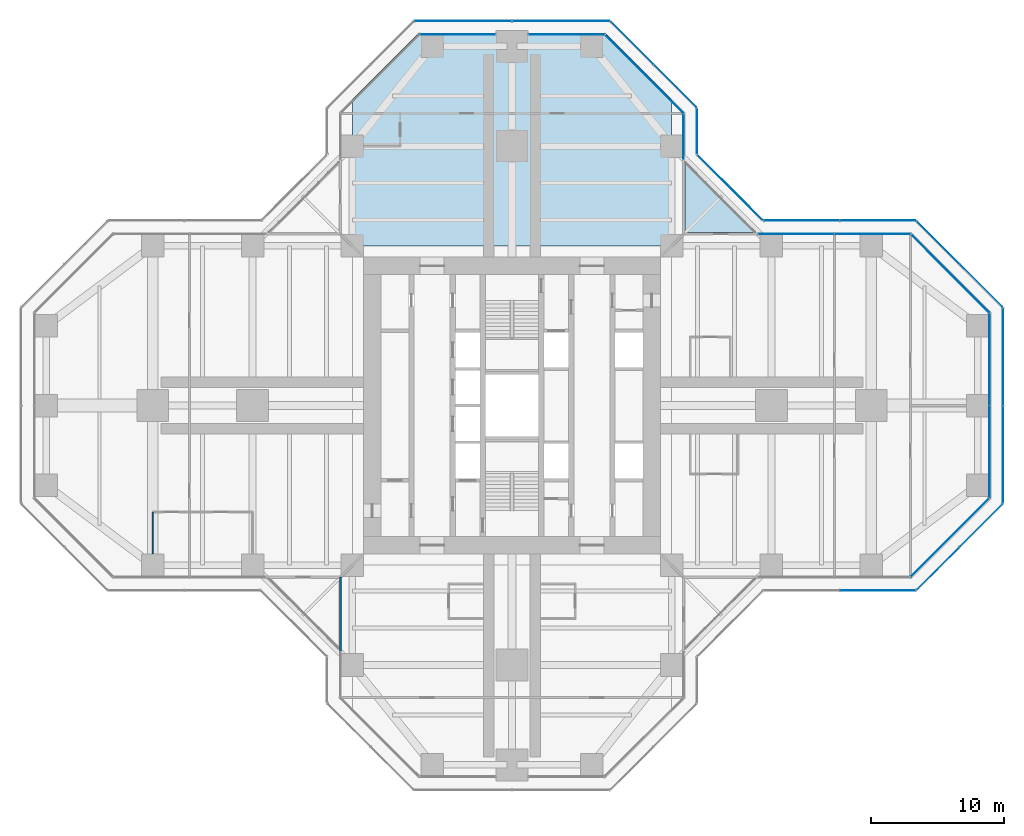
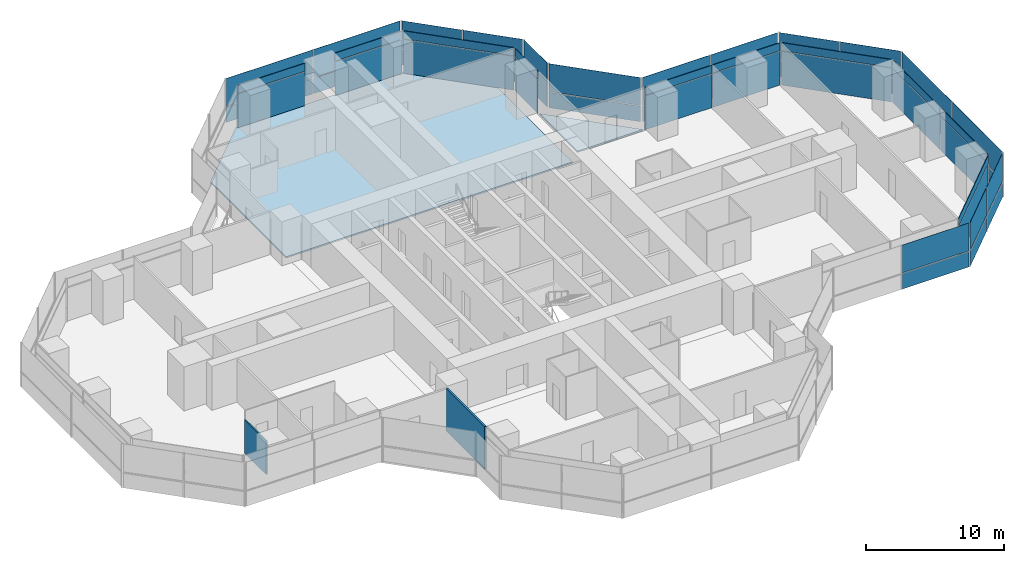
# One storey, part 14 of 19: 50 plates, 2 slabs, 2 walls, 17 elements without a shape of their own.
"""IFC4 building model written with IfcOpenShell, lengths in metres."""

from ifc_helpers import new_model, si_unit, direction, frame, frame_2d, origin, origin_2d, place, context, subcontext, project, spatial, polyline, rectangle, outline, extrude, material, layer, layer_set, type_object, element, aggregate, save


model = new_model("IFC4")

# Units and contexts
model_context = context("Model", 3, precision=1e-05, world=origin(), true_north=direction((0.0, 1.0)))
body_context = subcontext(model_context, "Body", "Model", "MODEL_VIEW")
ifc_project = project(units=[si_unit("LENGTHUNIT", "METRE"), si_unit("AREAUNIT", "SQUARE_METRE"), si_unit("VOLUMEUNIT", "CUBIC_METRE"), si_unit("PLANEANGLEUNIT", "RADIAN"), si_unit("MASSUNIT", "GRAM", prefix="KILO")], contexts=[model_context])

# Site, building, storey
site_placement = place(None, origin())
site = spatial("IfcSite", under=ifc_project, at=site_placement, CompositionType="ELEMENT")
building_placement = place(site_placement, origin())
building = spatial("IfcBuilding", under=site, at=building_placement, Name="Mizan Broadcast Tower", CompositionType="ELEMENT")
storey_placement = place(building_placement, frame((0.0, 0.0, 186.60009765625)))
storey = spatial("IfcBuildingStorey", under=building, at=storey_placement, Name="L43", CompositionType="ELEMENT", Elevation=186.60009765625)

# Slab
ifc_material_1 = material(Name="Concrete C32/40", Category="concrete")
ifc_layer_1 = layer(ifc_material_1, 0.1298828125)
ifc_layer_set_1 = layer_set([ifc_layer_1], Name="Concrete C32/40")
slab_type_1 = type_object("IfcSlabType", Name="COMPOSITE DECK SLAB 130", PredefinedType="FLOOR", material=ifc_layer_set_1)
slab_1_placement = place(storey_placement, frame((0.0, 0.0, -0.130126953125)))
element("IfcSlab", 1, at=slab_1_placement, inside=storey, type_object=slab_type_1, Name="Floor slab L43 north arm", PredefinedType="FLOOR", context=body_context, shape_type="SweptSolid", body=[
    extrude(outline(polyline([(-7.0, 28.0), (-12.0, 23.0), (-12.0, 12.0), (12.0, 12.0), (12.0, 23.0), (7.0, 28.0), (-7.0, 28.0)])), origin(), (0.0, 0.0, 1.0), 0.130126953125),
])

# Curtain wall, plate
ifc_material_2 = material(Name="Aluminium framed glazing", Category="aluminium")
curtain_wall_type_1 = type_object("IfcCurtainWallType", Name="INNER SKIN MID ZONE", PredefinedType="USERDEFINED", material=ifc_material_2)
curtain_wall_1_placement = place(storey_placement, origin())
curtain_wall_1 = element("IfcCurtainWall", 2, at=curtain_wall_1_placement, inside=storey, type_object=curtain_wall_type_1, Name="Inner skin mid zone L43 E chamfer", ObjectType="INNER SKIN MID ZONE", PredefinedType="USERDEFINED")
ifc_material_3 = material(Name="Double glazing, clear low-e", Category="glass")
ifc_layer_2 = layer(ifc_material_3, 0.028076171875)
ifc_layer_set_2 = layer_set([ifc_layer_2], Name="Double glazing, clear low-e")
plate_type_1 = type_object("IfcPlateType", Name="INNER SKIN GLAZING UNIT", PredefinedType="CURTAIN_PANEL", material=ifc_layer_set_2)
plate_1_placement = place(storey_placement, frame((32.92919921875, -9.92919921875, 0.0), z_axis=(0.0, 0.0, 1.0), x_axis=(0.707106781187, 0.707106781187, 0.0)))
plate_1 = element("IfcPlate", 3, at=plate_1_placement, type_object=plate_type_1, Name="Inner skin mid zone L43 E chamfer panel 1.1", PredefinedType="CURTAIN_PANEL", context=body_context, shape_type="SweptSolid", body=[
    extrude(rectangle(XDim=8.282470703125, YDim=0.028076171875, at=origin_2d()), origin(), (0.0, 0.0, 1.0), 3.0),
])

# Curtain wall, plates
curtain_wall_2_placement = place(storey_placement, origin())
curtain_wall_2 = element("IfcCurtainWall", 4, at=curtain_wall_2_placement, inside=storey, type_object=curtain_wall_type_1, Name="Inner skin mid zone L43 E end", ObjectType="INNER SKIN MID ZONE", PredefinedType="USERDEFINED")
plate_2_placement = place(storey_placement, frame((35.89990234375, -3.46435546875, 0.0), z_axis=(0.0, 0.0, 1.0), x_axis=(0.0, 1.0, 0.0)))
plate_2 = element("IfcPlate", 5, at=plate_2_placement, type_object=plate_type_1, Name="Inner skin mid zone L43 E end panel 1.1", PredefinedType="CURTAIN_PANEL", context=body_context, shape_type="SweptSolid", body=[
    extrude(rectangle(XDim=6.86865234375, YDim=0.028076171875, at=origin_2d()), origin(), (0.0, 0.0, 1.0), 3.0),
])
plate_3_placement = place(storey_placement, frame((35.89990234375, 3.46435546875, 0.0), z_axis=(0.0, 0.0, 1.0), x_axis=(0.0, 1.0, 0.0)))
plate_3 = element("IfcPlate", 6, at=plate_3_placement, type_object=plate_type_1, Name="Inner skin mid zone L43 E end panel 2.1", PredefinedType="CURTAIN_PANEL", context=body_context, shape_type="SweptSolid", body=[
    extrude(rectangle(XDim=6.86865234375, YDim=0.028076171875, at=origin_2d()), origin(), (0.0, 0.0, 1.0), 3.0),
])

# Curtain wall, plate
curtain_wall_3_placement = place(storey_placement, origin())
curtain_wall_3 = element("IfcCurtainWall", 7, at=curtain_wall_3_placement, inside=storey, type_object=curtain_wall_type_1, Name="Inner skin mid zone L43 E chamfer", ObjectType="INNER SKIN MID ZONE", PredefinedType="USERDEFINED")
plate_4_placement = place(storey_placement, frame((32.92919921875, 9.92919921875, 0.0), z_axis=(0.0, 0.0, 1.0), x_axis=(-0.707106781187, 0.707106781187, 0.0)))
plate_4 = element("IfcPlate", 8, at=plate_4_placement, type_object=plate_type_1, Name="Inner skin mid zone L43 E chamfer panel 1.1", PredefinedType="CURTAIN_PANEL", context=body_context, shape_type="SweptSolid", body=[
    extrude(rectangle(XDim=8.282470703125, YDim=0.028076171875, at=origin_2d()), origin(), (0.0, 0.0, 1.0), 3.0),
])

# Curtain wall, plates
curtain_wall_4_placement = place(storey_placement, origin())
curtain_wall_4 = element("IfcCurtainWall", 9, at=curtain_wall_4_placement, inside=storey, type_object=curtain_wall_type_1, Name="Inner skin mid zone L43 E side", ObjectType="INNER SKIN MID ZONE", PredefinedType="USERDEFINED")
plate_5_placement = place(storey_placement, frame((27.078857421875, 12.89990234375, 0.0), z_axis=(0.0, 0.0, 1.0), x_axis=(-1.0, 0.0, 0.0)))
plate_5 = element("IfcPlate", 10, at=plate_5_placement, type_object=plate_type_1, Name="Inner skin mid zone L43 E side panel 1.1", PredefinedType="CURTAIN_PANEL", context=body_context, shape_type="SweptSolid", body=[
    extrude(rectangle(XDim=5.639404296875, YDim=0.028076171875, at=origin_2d()), origin(), (0.0, 0.0, 1.0), 3.0),
])
plate_6_placement = place(storey_placement, frame((21.379638671875, 12.89990234375, 0.0), z_axis=(0.0, 0.0, 1.0), x_axis=(-1.0, 0.0, 0.0)))
plate_6 = element("IfcPlate", 11, at=plate_6_placement, type_object=plate_type_1, Name="Inner skin mid zone L43 E side panel 2.1", PredefinedType="CURTAIN_PANEL", context=body_context, shape_type="SweptSolid", body=[
    extrude(rectangle(XDim=5.639404296875, YDim=0.028076171875, at=origin_2d()), origin(), (0.0, 0.0, 1.0), 3.0),
])

# Curtain wall, plate
curtain_wall_5_placement = place(storey_placement, origin())
curtain_wall_5 = element("IfcCurtainWall", 12, at=curtain_wall_5_placement, inside=storey, type_object=curtain_wall_type_1, Name="Inner skin mid zone L43 N side", ObjectType="INNER SKIN MID ZONE", PredefinedType="USERDEFINED")
plate_7_placement = place(storey_placement, frame((12.89990234375, 20.229248046875, 0.0), z_axis=(0.0, 0.0, 1.0), x_axis=(0.0, 1.0, 0.0)))
plate_7 = element("IfcPlate", 13, at=plate_7_placement, type_object=plate_type_1, Name="Inner skin mid zone L43 N side panel 1.1", PredefinedType="CURTAIN_PANEL", context=body_context, shape_type="SweptSolid", body=[
    extrude(rectangle(XDim=3.338623046875, YDim=0.028076171875, at=origin_2d()), origin(), (0.0, 0.0, 1.0), 3.0),
])

curtain_wall_6_placement = place(storey_placement, origin())
curtain_wall_6 = element("IfcCurtainWall", 14, at=curtain_wall_6_placement, inside=storey, type_object=curtain_wall_type_1, Name="Inner skin mid zone L43 N chamfer", ObjectType="INNER SKIN MID ZONE", PredefinedType="USERDEFINED")
plate_8_placement = place(storey_placement, frame((9.92919921875, 24.92919921875, 0.0), z_axis=(0.0, 0.0, 1.0), x_axis=(-0.707106781187, 0.707106781187, 0.0)))
plate_8 = element("IfcPlate", 15, at=plate_8_placement, type_object=plate_type_1, Name="Inner skin mid zone L43 N chamfer panel 1.1", PredefinedType="CURTAIN_PANEL", context=body_context, shape_type="SweptSolid", body=[
    extrude(rectangle(XDim=8.282470703125, YDim=0.028076171875, at=origin_2d()), origin(), (0.0, 0.0, 1.0), 3.0),
])

curtain_wall_7_placement = place(storey_placement, origin())
curtain_wall_7 = element("IfcCurtainWall", 16, at=curtain_wall_7_placement, inside=storey, type_object=curtain_wall_type_1, Name="Inner skin mid zone L43 N end", ObjectType="INNER SKIN MID ZONE", PredefinedType="USERDEFINED")
plate_9_placement = place(storey_placement, frame((4.079345703125, 27.89990234375, 0.0), z_axis=(0.0, 0.0, 1.0), x_axis=(-1.0, 0.0, 0.0)))
plate_9 = element("IfcPlate", 17, at=plate_9_placement, type_object=plate_type_1, Name="Inner skin mid zone L43 N end panel 1.1", PredefinedType="CURTAIN_PANEL", context=body_context, shape_type="SweptSolid", body=[
    extrude(rectangle(XDim=5.638671875, YDim=0.028076171875, at=origin_2d()), origin(), (0.0, 0.0, 1.0), 3.0),
])

curtain_wall_8_placement = place(storey_placement, origin())
curtain_wall_8 = element("IfcCurtainWall", 18, at=curtain_wall_8_placement, inside=storey, type_object=curtain_wall_type_1, Name="Inner skin mid zone L43 N end", ObjectType="INNER SKIN MID ZONE", PredefinedType="USERDEFINED")
plate_10_placement = place(storey_placement, frame((-4.079345703125, 27.89990234375, 0.0), z_axis=(0.0, 0.0, 1.0), x_axis=(-1.0, 0.0, 0.0)))
plate_10 = element("IfcPlate", 19, at=plate_10_placement, type_object=plate_type_1, Name="Inner skin mid zone L43 N end panel 1.1", PredefinedType="CURTAIN_PANEL", context=body_context, shape_type="SweptSolid", body=[
    extrude(rectangle(XDim=5.638671875, YDim=0.028076171875, at=origin_2d()), origin(), (0.0, 0.0, 1.0), 3.0),
])

# Plate
ifc_material_4 = material(Name="Insulated aluminium spandrel panel, pale anodised", Category="aluminium")
ifc_layer_3 = layer(ifc_material_4, 0.050048828125)
ifc_layer_set_3 = layer_set([ifc_layer_3], Name="Insulated aluminium spandrel panel, pale anodised")
plate_type_2 = type_object("IfcPlateType", Name="INNER SKIN SPANDREL PANEL", PredefinedType="CURTAIN_PANEL", material=ifc_layer_set_3)
plate_11_placement = place(storey_placement, frame((32.92919921875, -9.92919921875, 3.059814453125), z_axis=(0.0, 0.0, 1.0), x_axis=(0.707106781187, 0.707106781187, 0.0)))
plate_11 = element("IfcPlate", 20, at=plate_11_placement, type_object=plate_type_2, Name="Inner skin mid zone L43 E chamfer panel 1.2", PredefinedType="CURTAIN_PANEL", context=body_context, shape_type="SweptSolid", body=[
    extrude(rectangle(XDim=8.282470703125, YDim=0.050048828125, at=origin_2d()), origin(), (0.0, 0.0, 1.0), 0.7099609375),
])

aggregate(curtain_wall_1, [plate_1, plate_11])

plate_12_placement = place(storey_placement, frame((35.89990234375, -3.46435546875, 3.059814453125), z_axis=(0.0, 0.0, 1.0), x_axis=(0.0, 1.0, 0.0)))
plate_12 = element("IfcPlate", 21, at=plate_12_placement, type_object=plate_type_2, Name="Inner skin mid zone L43 E end panel 1.2", PredefinedType="CURTAIN_PANEL", context=body_context, shape_type="SweptSolid", body=[
    extrude(rectangle(XDim=6.86865234375, YDim=0.050048828125, at=origin_2d()), origin(), (0.0, 0.0, 1.0), 0.7099609375),
])

plate_13_placement = place(storey_placement, frame((35.89990234375, 3.46435546875, 3.059814453125), z_axis=(0.0, 0.0, 1.0), x_axis=(0.0, 1.0, 0.0)))
plate_13 = element("IfcPlate", 22, at=plate_13_placement, type_object=plate_type_2, Name="Inner skin mid zone L43 E end panel 2.2", PredefinedType="CURTAIN_PANEL", context=body_context, shape_type="SweptSolid", body=[
    extrude(rectangle(XDim=6.86865234375, YDim=0.050048828125, at=origin_2d()), origin(), (0.0, 0.0, 1.0), 0.7099609375),
])

aggregate(curtain_wall_2, [plate_2, plate_12, plate_3, plate_13])

plate_14_placement = place(storey_placement, frame((32.92919921875, 9.92919921875, 3.059814453125), z_axis=(0.0, 0.0, 1.0), x_axis=(-0.707106781187, 0.707106781187, 0.0)))
plate_14 = element("IfcPlate", 23, at=plate_14_placement, type_object=plate_type_2, Name="Inner skin mid zone L43 E chamfer panel 1.2", PredefinedType="CURTAIN_PANEL", context=body_context, shape_type="SweptSolid", body=[
    extrude(rectangle(XDim=8.282470703125, YDim=0.050048828125, at=origin_2d()), origin(), (0.0, 0.0, 1.0), 0.7099609375),
])

aggregate(curtain_wall_3, [plate_4, plate_14])

plate_15_placement = place(storey_placement, frame((27.078857421875, 12.89990234375, 3.059814453125), z_axis=(0.0, 0.0, 1.0), x_axis=(-1.0, 0.0, 0.0)))
plate_15 = element("IfcPlate", 24, at=plate_15_placement, type_object=plate_type_2, Name="Inner skin mid zone L43 E side panel 1.2", PredefinedType="CURTAIN_PANEL", context=body_context, shape_type="SweptSolid", body=[
    extrude(rectangle(XDim=5.639404296875, YDim=0.050048828125, at=origin_2d()), origin(), (0.0, 0.0, 1.0), 0.7099609375),
])

plate_16_placement = place(storey_placement, frame((21.379638671875, 12.89990234375, 3.059814453125), z_axis=(0.0, 0.0, 1.0), x_axis=(-1.0, 0.0, 0.0)))
plate_16 = element("IfcPlate", 25, at=plate_16_placement, type_object=plate_type_2, Name="Inner skin mid zone L43 E side panel 2.2", PredefinedType="CURTAIN_PANEL", context=body_context, shape_type="SweptSolid", body=[
    extrude(rectangle(XDim=5.639404296875, YDim=0.050048828125, at=origin_2d()), origin(), (0.0, 0.0, 1.0), 0.7099609375),
])

aggregate(curtain_wall_4, [plate_5, plate_15, plate_6, plate_16])

plate_17_placement = place(storey_placement, frame((12.89990234375, 20.229248046875, 3.059814453125), z_axis=(0.0, 0.0, 1.0), x_axis=(0.0, 1.0, 0.0)))
plate_17 = element("IfcPlate", 26, at=plate_17_placement, type_object=plate_type_2, Name="Inner skin mid zone L43 N side panel 1.2", PredefinedType="CURTAIN_PANEL", context=body_context, shape_type="SweptSolid", body=[
    extrude(rectangle(XDim=3.338623046875, YDim=0.050048828125, at=origin_2d()), origin(), (0.0, 0.0, 1.0), 0.7099609375),
])

aggregate(curtain_wall_5, [plate_7, plate_17])

plate_18_placement = place(storey_placement, frame((9.92919921875, 24.92919921875, 3.059814453125), z_axis=(0.0, 0.0, 1.0), x_axis=(-0.707106781187, 0.707106781187, 0.0)))
plate_18 = element("IfcPlate", 27, at=plate_18_placement, type_object=plate_type_2, Name="Inner skin mid zone L43 N chamfer panel 1.2", PredefinedType="CURTAIN_PANEL", context=body_context, shape_type="SweptSolid", body=[
    extrude(rectangle(XDim=8.282470703125, YDim=0.050048828125, at=origin_2d()), origin(), (0.0, 0.0, 1.0), 0.7099609375),
])

aggregate(curtain_wall_6, [plate_8, plate_18])

plate_19_placement = place(storey_placement, frame((4.079345703125, 27.89990234375, 3.059814453125), z_axis=(0.0, 0.0, 1.0), x_axis=(-1.0, 0.0, 0.0)))
plate_19 = element("IfcPlate", 28, at=plate_19_placement, type_object=plate_type_2, Name="Inner skin mid zone L43 N end panel 1.2", PredefinedType="CURTAIN_PANEL", context=body_context, shape_type="SweptSolid", body=[
    extrude(rectangle(XDim=5.638671875, YDim=0.050048828125, at=origin_2d()), origin(), (0.0, 0.0, 1.0), 0.7099609375),
])

aggregate(curtain_wall_7, [plate_9, plate_19])

plate_20_placement = place(storey_placement, frame((-4.079345703125, 27.89990234375, 3.059814453125), z_axis=(0.0, 0.0, 1.0), x_axis=(-1.0, 0.0, 0.0)))
plate_20 = element("IfcPlate", 29, at=plate_20_placement, type_object=plate_type_2, Name="Inner skin mid zone L43 N end panel 1.2", PredefinedType="CURTAIN_PANEL", context=body_context, shape_type="SweptSolid", body=[
    extrude(rectangle(XDim=5.638671875, YDim=0.050048828125, at=origin_2d()), origin(), (0.0, 0.0, 1.0), 0.7099609375),
])

aggregate(curtain_wall_8, [plate_10, plate_20])

# Curtain wall, plates
ifc_material_5 = material(Name="Aluminium framed glazing", Category="aluminium")
curtain_wall_type_2 = type_object("IfcCurtainWallType", Name="OUTER SKIN", PredefinedType="USERDEFINED", material=ifc_material_5)
curtain_wall_9_placement = place(storey_placement, origin())
curtain_wall_9 = element("IfcCurtainWall", 30, at=curtain_wall_9_placement, inside=storey, type_object=curtain_wall_type_2, Name="Outer skin L43 E chamfer", ObjectType="OUTER SKIN", PredefinedType="USERDEFINED")
ifc_material_6 = material(Name="Laminated clear glass", Category="glass")
ifc_layer_4 = layer(ifc_material_6, 0.02001953125)
ifc_layer_set_4 = layer_set([ifc_layer_4], Name="Laminated clear glass")
plate_type_3 = type_object("IfcPlateType", Name="OUTER SKIN CLEAR GLASS", PredefinedType="CURTAIN_PANEL", material=ifc_layer_set_4)
plate_21_placement = place(storey_placement, frame((32.018798828125, -12.254150390625, -0.000244140625), z_axis=(0.0, 0.0, 1.0), x_axis=(0.707106781187, 0.707106781187, 0.0)))
plate_21 = element("IfcPlate", 31, at=plate_21_placement, type_object=plate_type_3, Name="Outer skin L43 E chamfer panel 1.1", PredefinedType="CURTAIN_PANEL", context=body_context, shape_type="SweptSolid", body=[
    extrude(rectangle(XDim=4.495361328125, YDim=0.02001953125, at=origin_2d()), origin(), (0.0, 0.0, 1.0), 1.3701171875),
])
plate_22_placement = place(storey_placement, frame((32.018798828125, -12.254150390625, 1.4296875), z_axis=(0.0, 0.0, 1.0), x_axis=(0.707106781187, 0.707106781187, 0.0)))
plate_22 = element("IfcPlate", 32, at=plate_22_placement, type_object=plate_type_3, Name="Outer skin L43 E chamfer panel 1.2", PredefinedType="CURTAIN_PANEL", context=body_context, shape_type="SweptSolid", body=[
    extrude(rectangle(XDim=4.495361328125, YDim=0.02001953125, at=origin_2d()), origin(), (0.0, 0.0, 1.0), 2.469970703125),
])

curtain_wall_10_placement = place(storey_placement, origin())
curtain_wall_10 = element("IfcCurtainWall", 33, at=curtain_wall_10_placement, inside=storey, type_object=curtain_wall_type_2, Name="Outer skin L43 E end", ObjectType="OUTER SKIN", PredefinedType="USERDEFINED")
plate_23_placement = place(storey_placement, frame((36.89990234375, -3.66650390625, -0.000244140625), z_axis=(0.0, 0.0, 1.0), x_axis=(0.0, 1.0, 0.0)))
plate_23 = element("IfcPlate", 34, at=plate_23_placement, type_object=plate_type_3, Name="Outer skin L43 E end panel 1.1", PredefinedType="CURTAIN_PANEL", context=body_context, shape_type="SweptSolid", body=[
    extrude(rectangle(XDim=7.252685546875, YDim=0.02001953125, at=origin_2d()), origin(), (0.0, 0.0, 1.0), 1.3701171875),
])
plate_24_placement = place(storey_placement, frame((36.89990234375, -3.66650390625, 1.4296875), z_axis=(0.0, 0.0, 1.0), x_axis=(0.0, 1.0, 0.0)))
plate_24 = element("IfcPlate", 35, at=plate_24_placement, type_object=plate_type_3, Name="Outer skin L43 E end panel 1.2", PredefinedType="CURTAIN_PANEL", context=body_context, shape_type="SweptSolid", body=[
    extrude(rectangle(XDim=7.252685546875, YDim=0.02001953125, at=origin_2d()), origin(), (0.0, 0.0, 1.0), 2.469970703125),
])

curtain_wall_11_placement = place(storey_placement, origin())
curtain_wall_11 = element("IfcCurtainWall", 36, at=curtain_wall_11_placement, inside=storey, type_object=curtain_wall_type_2, Name="Outer skin L43 E chamfer", ObjectType="OUTER SKIN", PredefinedType="USERDEFINED")
plate_25_placement = place(storey_placement, frame((35.254150390625, 9.018798828125, -0.000244140625), z_axis=(0.0, 0.0, 1.0), x_axis=(-0.707106781187, 0.707106781187, 0.0)))
plate_25 = element("IfcPlate", 37, at=plate_25_placement, type_object=plate_type_3, Name="Outer skin L43 E chamfer panel 1.1", PredefinedType="CURTAIN_PANEL", context=body_context, shape_type="SweptSolid", body=[
    extrude(rectangle(XDim=4.495361328125, YDim=0.02001953125, at=origin_2d()), origin(), (0.0, 0.0, 1.0), 1.3701171875),
])
plate_26_placement = place(storey_placement, frame((35.254150390625, 9.018798828125, 1.4296875), z_axis=(0.0, 0.0, 1.0), x_axis=(-0.707106781187, 0.707106781187, 0.0)))
plate_26 = element("IfcPlate", 38, at=plate_26_placement, type_object=plate_type_3, Name="Outer skin L43 E chamfer panel 1.2", PredefinedType="CURTAIN_PANEL", context=body_context, shape_type="SweptSolid", body=[
    extrude(rectangle(XDim=4.495361328125, YDim=0.02001953125, at=origin_2d()), origin(), (0.0, 0.0, 1.0), 2.469970703125),
])

curtain_wall_12_placement = place(storey_placement, origin())
curtain_wall_12 = element("IfcCurtainWall", 39, at=curtain_wall_12_placement, inside=storey, type_object=curtain_wall_type_2, Name="Outer skin L43 E side", ObjectType="OUTER SKIN", PredefinedType="USERDEFINED")
plate_27_placement = place(storey_placement, frame((27.477783203125, 13.89990234375, -0.000244140625), z_axis=(0.0, 0.0, 1.0), x_axis=(-1.0, 0.0, 0.0)))
plate_27 = element("IfcPlate", 40, at=plate_27_placement, type_object=plate_type_3, Name="Outer skin L43 E side panel 1.1", PredefinedType="CURTAIN_PANEL", context=body_context, shape_type="SweptSolid", body=[
    extrude(rectangle(XDim=5.6298828125, YDim=0.02001953125, at=origin_2d()), origin(), (0.0, 0.0, 1.0), 1.3701171875),
])
plate_28_placement = place(storey_placement, frame((27.477783203125, 13.89990234375, 1.4296875), z_axis=(0.0, 0.0, 1.0), x_axis=(-1.0, 0.0, 0.0)))
plate_28 = element("IfcPlate", 41, at=plate_28_placement, type_object=plate_type_3, Name="Outer skin L43 E side panel 1.2", PredefinedType="CURTAIN_PANEL", context=body_context, shape_type="SweptSolid", body=[
    extrude(rectangle(XDim=5.6298828125, YDim=0.02001953125, at=origin_2d()), origin(), (0.0, 0.0, 1.0), 2.469970703125),
])
plate_29_placement = place(storey_placement, frame((21.767822265625, 13.89990234375, -0.000244140625), z_axis=(0.0, 0.0, 1.0), x_axis=(-1.0, 0.0, 0.0)))
plate_29 = element("IfcPlate", 42, at=plate_29_placement, type_object=plate_type_3, Name="Outer skin L43 E side panel 2.1", PredefinedType="CURTAIN_PANEL", context=body_context, shape_type="SweptSolid", body=[
    extrude(rectangle(XDim=5.6298828125, YDim=0.02001953125, at=origin_2d()), origin(), (0.0, 0.0, 1.0), 1.3701171875),
])
plate_30_placement = place(storey_placement, frame((21.767822265625, 13.89990234375, 1.4296875), z_axis=(0.0, 0.0, 1.0), x_axis=(-1.0, 0.0, 0.0)))
plate_30 = element("IfcPlate", 43, at=plate_30_placement, type_object=plate_type_3, Name="Outer skin L43 E side panel 2.2", PredefinedType="CURTAIN_PANEL", context=body_context, shape_type="SweptSolid", body=[
    extrude(rectangle(XDim=5.6298828125, YDim=0.02001953125, at=origin_2d()), origin(), (0.0, 0.0, 1.0), 2.469970703125),
])
aggregate(curtain_wall_12, [plate_27, plate_28, plate_29, plate_30])

curtain_wall_13_placement = place(storey_placement, origin())
curtain_wall_13 = element("IfcCurtainWall", 44, at=curtain_wall_13_placement, inside=storey, type_object=curtain_wall_type_2, Name="Outer skin L43 E chamfer", ObjectType="OUTER SKIN", PredefinedType="USERDEFINED")
plate_31_placement = place(storey_placement, frame((16.386474609375, 16.386474609375, -0.000244140625), z_axis=(0.0, 0.0, 1.0), x_axis=(-0.707106781187, 0.707106781187, 0.0)))
plate_31 = element("IfcPlate", 45, at=plate_31_placement, type_object=plate_type_3, Name="Outer skin L43 E chamfer panel 1.1", PredefinedType="CURTAIN_PANEL", context=body_context, shape_type="SweptSolid", body=[
    extrude(rectangle(XDim=6.87255859375, YDim=0.02001953125, at=origin_2d()), origin(), (0.0, 0.0, 1.0), 1.3701171875),
])
plate_32_placement = place(storey_placement, frame((16.386474609375, 16.386474609375, 1.4296875), z_axis=(0.0, 0.0, 1.0), x_axis=(-0.707106781187, 0.707106781187, 0.0)))
plate_32 = element("IfcPlate", 46, at=plate_32_placement, type_object=plate_type_3, Name="Outer skin L43 E chamfer panel 1.2", PredefinedType="CURTAIN_PANEL", context=body_context, shape_type="SweptSolid", body=[
    extrude(rectangle(XDim=6.87255859375, YDim=0.02001953125, at=origin_2d()), origin(), (0.0, 0.0, 1.0), 2.469970703125),
])
aggregate(curtain_wall_13, [plate_31, plate_32])

curtain_wall_14_placement = place(storey_placement, origin())
curtain_wall_14 = element("IfcCurtainWall", 47, at=curtain_wall_14_placement, inside=storey, type_object=curtain_wall_type_2, Name="Outer skin L43 N side", ObjectType="OUTER SKIN", PredefinedType="USERDEFINED")
plate_33_placement = place(storey_placement, frame((13.89990234375, 20.622802734375, -0.000244140625), z_axis=(0.0, 0.0, 1.0), x_axis=(0.0, 1.0, 0.0)))
plate_33 = element("IfcPlate", 48, at=plate_33_placement, type_object=plate_type_3, Name="Outer skin L43 N side panel 1.1", PredefinedType="CURTAIN_PANEL", context=body_context, shape_type="SweptSolid", body=[
    extrude(rectangle(XDim=3.340087890625, YDim=0.02001953125, at=origin_2d()), origin(), (0.0, 0.0, 1.0), 1.3701171875),
])
plate_34_placement = place(storey_placement, frame((13.89990234375, 20.622802734375, 1.4296875), z_axis=(0.0, 0.0, 1.0), x_axis=(0.0, 1.0, 0.0)))
plate_34 = element("IfcPlate", 49, at=plate_34_placement, type_object=plate_type_3, Name="Outer skin L43 N side panel 1.2", PredefinedType="CURTAIN_PANEL", context=body_context, shape_type="SweptSolid", body=[
    extrude(rectangle(XDim=3.340087890625, YDim=0.02001953125, at=origin_2d()), origin(), (0.0, 0.0, 1.0), 2.469970703125),
])
aggregate(curtain_wall_14, [plate_33, plate_34])

curtain_wall_15_placement = place(storey_placement, origin())
curtain_wall_15 = element("IfcCurtainWall", 50, at=curtain_wall_15_placement, inside=storey, type_object=curtain_wall_type_2, Name="Outer skin L43 N chamfer", ObjectType="OUTER SKIN", PredefinedType="USERDEFINED")
plate_35_placement = place(storey_placement, frame((12.254150390625, 24.018798828125, -0.000244140625), z_axis=(0.0, 0.0, 1.0), x_axis=(-0.707106781187, 0.707106781187, 0.0)))
plate_35 = element("IfcPlate", 51, at=plate_35_placement, type_object=plate_type_3, Name="Outer skin L43 N chamfer panel 1.1", PredefinedType="CURTAIN_PANEL", context=body_context, shape_type="SweptSolid", body=[
    extrude(rectangle(XDim=4.495361328125, YDim=0.02001953125, at=origin_2d()), origin(), (0.0, 0.0, 1.0), 1.3701171875),
])
plate_36_placement = place(storey_placement, frame((12.254150390625, 24.018798828125, 1.4296875), z_axis=(0.0, 0.0, 1.0), x_axis=(-0.707106781187, 0.707106781187, 0.0)))
plate_36 = element("IfcPlate", 52, at=plate_36_placement, type_object=plate_type_3, Name="Outer skin L43 N chamfer panel 1.2", PredefinedType="CURTAIN_PANEL", context=body_context, shape_type="SweptSolid", body=[
    extrude(rectangle(XDim=4.495361328125, YDim=0.02001953125, at=origin_2d()), origin(), (0.0, 0.0, 1.0), 2.469970703125),
])

curtain_wall_16_placement = place(storey_placement, origin())
curtain_wall_16 = element("IfcCurtainWall", 53, at=curtain_wall_16_placement, inside=storey, type_object=curtain_wall_type_2, Name="Outer skin L43 N end", ObjectType="OUTER SKIN", PredefinedType="USERDEFINED")
plate_37_placement = place(storey_placement, frame((3.66650390625, 28.89990234375, -0.000244140625), z_axis=(0.0, 0.0, 1.0), x_axis=(-1.0, 0.0, 0.0)))
plate_37 = element("IfcPlate", 54, at=plate_37_placement, type_object=plate_type_3, Name="Outer skin L43 N end panel 1.1", PredefinedType="CURTAIN_PANEL", context=body_context, shape_type="SweptSolid", body=[
    extrude(rectangle(XDim=7.252685546875, YDim=0.02001953125, at=origin_2d()), origin(), (0.0, 0.0, 1.0), 1.3701171875),
])
plate_38_placement = place(storey_placement, frame((3.66650390625, 28.89990234375, 1.4296875), z_axis=(0.0, 0.0, 1.0), x_axis=(-1.0, 0.0, 0.0)))
plate_38 = element("IfcPlate", 55, at=plate_38_placement, type_object=plate_type_3, Name="Outer skin L43 N end panel 1.2", PredefinedType="CURTAIN_PANEL", context=body_context, shape_type="SweptSolid", body=[
    extrude(rectangle(XDim=7.252685546875, YDim=0.02001953125, at=origin_2d()), origin(), (0.0, 0.0, 1.0), 2.469970703125),
])
plate_39_placement = place(storey_placement, frame((-3.66650390625, 28.89990234375, -0.000244140625), z_axis=(0.0, 0.0, 1.0), x_axis=(-1.0, 0.0, 0.0)))
plate_39 = element("IfcPlate", 56, at=plate_39_placement, type_object=plate_type_3, Name="Outer skin L43 N end panel 2.1", PredefinedType="CURTAIN_PANEL", context=body_context, shape_type="SweptSolid", body=[
    extrude(rectangle(XDim=7.252685546875, YDim=0.02001953125, at=origin_2d()), origin(), (0.0, 0.0, 1.0), 1.3701171875),
])
plate_40_placement = place(storey_placement, frame((-3.66650390625, 28.89990234375, 1.4296875), z_axis=(0.0, 0.0, 1.0), x_axis=(-1.0, 0.0, 0.0)))
plate_40 = element("IfcPlate", 57, at=plate_40_placement, type_object=plate_type_3, Name="Outer skin L43 N end panel 2.2", PredefinedType="CURTAIN_PANEL", context=body_context, shape_type="SweptSolid", body=[
    extrude(rectangle(XDim=7.252685546875, YDim=0.02001953125, at=origin_2d()), origin(), (0.0, 0.0, 1.0), 2.469970703125),
])
aggregate(curtain_wall_16, [plate_37, plate_38, plate_39, plate_40])

# Plate
ifc_material_7 = material(Name="Perforated aluminium, pale anodised", Category="aluminium")
ifc_layer_5 = layer(ifc_material_7, 0.011962890625)
ifc_layer_set_5 = layer_set([ifc_layer_5], Name="Perforated aluminium, pale anodised")
plate_type_4 = type_object("IfcPlateType", Name="OUTER SKIN PERFORATED SCREEN", PredefinedType="USERDEFINED", material=ifc_layer_set_5)
plate_41_placement = place(storey_placement, frame((35.254150390625, -9.018798828125, -0.000244140625), z_axis=(0.0, 0.0, 1.0), x_axis=(0.707106781187, 0.707106781187, 0.0)))
plate_41 = element("IfcPlate", 58, at=plate_41_placement, type_object=plate_type_4, Name="Outer skin L43 E chamfer panel 2.1", ObjectType="SCREEN", PredefinedType="USERDEFINED", context=body_context, shape_type="SweptSolid", body=[
    extrude(rectangle(XDim=4.495361328125, YDim=0.011962890625, at=origin_2d()), origin(), (0.0, 0.0, 1.0), 1.3701171875),
])

plate_42_placement = place(storey_placement, frame((35.254150390625, -9.018798828125, 1.4296875), z_axis=(0.0, 0.0, 1.0), x_axis=(0.707106781187, 0.707106781187, 0.0)))
plate_42 = element("IfcPlate", 59, at=plate_42_placement, type_object=plate_type_4, Name="Outer skin L43 E chamfer panel 2.2", ObjectType="SCREEN", PredefinedType="USERDEFINED", context=body_context, shape_type="SweptSolid", body=[
    extrude(rectangle(XDim=4.495361328125, YDim=0.011962890625, at=origin_2d()), origin(), (0.0, 0.0, 1.0), 2.469970703125),
])

aggregate(curtain_wall_9, [plate_21, plate_22, plate_41, plate_42])

plate_43_placement = place(storey_placement, frame((36.89990234375, 3.66650390625, -0.000244140625), z_axis=(0.0, 0.0, 1.0), x_axis=(0.0, 1.0, 0.0)))
plate_43 = element("IfcPlate", 60, at=plate_43_placement, type_object=plate_type_4, Name="Outer skin L43 E end panel 2.1", ObjectType="SCREEN", PredefinedType="USERDEFINED", context=body_context, shape_type="SweptSolid", body=[
    extrude(rectangle(XDim=7.252685546875, YDim=0.011962890625, at=origin_2d()), origin(), (0.0, 0.0, 1.0), 1.3701171875),
])

plate_44_placement = place(storey_placement, frame((36.89990234375, 3.66650390625, 1.4296875), z_axis=(0.0, 0.0, 1.0), x_axis=(0.0, 1.0, 0.0)))
plate_44 = element("IfcPlate", 61, at=plate_44_placement, type_object=plate_type_4, Name="Outer skin L43 E end panel 2.2", ObjectType="SCREEN", PredefinedType="USERDEFINED", context=body_context, shape_type="SweptSolid", body=[
    extrude(rectangle(XDim=7.252685546875, YDim=0.011962890625, at=origin_2d()), origin(), (0.0, 0.0, 1.0), 2.469970703125),
])

aggregate(curtain_wall_10, [plate_23, plate_24, plate_43, plate_44])

plate_45_placement = place(storey_placement, frame((32.018798828125, 12.254150390625, -0.000244140625), z_axis=(0.0, 0.0, 1.0), x_axis=(-0.707106781187, 0.707106781187, 0.0)))
plate_45 = element("IfcPlate", 62, at=plate_45_placement, type_object=plate_type_4, Name="Outer skin L43 E chamfer panel 2.1", ObjectType="SCREEN", PredefinedType="USERDEFINED", context=body_context, shape_type="SweptSolid", body=[
    extrude(rectangle(XDim=4.495361328125, YDim=0.011962890625, at=origin_2d()), origin(), (0.0, 0.0, 1.0), 1.3701171875),
])

plate_46_placement = place(storey_placement, frame((32.018798828125, 12.254150390625, 1.4296875), z_axis=(0.0, 0.0, 1.0), x_axis=(-0.707106781187, 0.707106781187, 0.0)))
plate_46 = element("IfcPlate", 63, at=plate_46_placement, type_object=plate_type_4, Name="Outer skin L43 E chamfer panel 2.2", ObjectType="SCREEN", PredefinedType="USERDEFINED", context=body_context, shape_type="SweptSolid", body=[
    extrude(rectangle(XDim=4.495361328125, YDim=0.011962890625, at=origin_2d()), origin(), (0.0, 0.0, 1.0), 2.469970703125),
])

aggregate(curtain_wall_11, [plate_25, plate_26, plate_45, plate_46])

plate_47_placement = place(storey_placement, frame((9.018798828125, 27.254150390625, -0.000244140625), z_axis=(0.0, 0.0, 1.0), x_axis=(-0.707106781187, 0.707106781187, 0.0)))
plate_47 = element("IfcPlate", 64, at=plate_47_placement, type_object=plate_type_4, Name="Outer skin L43 N chamfer panel 2.1", ObjectType="SCREEN", PredefinedType="USERDEFINED", context=body_context, shape_type="SweptSolid", body=[
    extrude(rectangle(XDim=4.495361328125, YDim=0.011962890625, at=origin_2d()), origin(), (0.0, 0.0, 1.0), 1.3701171875),
])

plate_48_placement = place(storey_placement, frame((9.018798828125, 27.254150390625, 1.4296875), z_axis=(0.0, 0.0, 1.0), x_axis=(-0.707106781187, 0.707106781187, 0.0)))
plate_48 = element("IfcPlate", 65, at=plate_48_placement, type_object=plate_type_4, Name="Outer skin L43 N chamfer panel 2.2", ObjectType="SCREEN", PredefinedType="USERDEFINED", context=body_context, shape_type="SweptSolid", body=[
    extrude(rectangle(XDim=4.495361328125, YDim=0.011962890625, at=origin_2d()), origin(), (0.0, 0.0, 1.0), 2.469970703125),
])

aggregate(curtain_wall_15, [plate_35, plate_36, plate_47, plate_48])

# Curtain wall, plates
curtain_wall_17_placement = place(storey_placement, origin())
curtain_wall_17 = element("IfcCurtainWall", 66, at=curtain_wall_17_placement, inside=storey, type_object=curtain_wall_type_2, Name="Outer skin L43 E side", ObjectType="OUTER SKIN", PredefinedType="USERDEFINED")
plate_49_placement = place(storey_placement, frame((27.477783203125, -13.89990234375, -0.000244140625), z_axis=(0.0, 0.0, 1.0), x_axis=(1.0, 0.0, 0.0)))
plate_49 = element("IfcPlate", 67, at=plate_49_placement, type_object=plate_type_4, Name="Outer skin L43 E side panel 2.1", ObjectType="SCREEN", PredefinedType="USERDEFINED", context=body_context, shape_type="SweptSolid", body=[
    extrude(rectangle(XDim=5.6298828125, YDim=0.011962890625, at=origin_2d()), origin(), (0.0, 0.0, 1.0), 1.3701171875),
])
plate_50_placement = place(storey_placement, frame((27.477783203125, -13.89990234375, 1.4296875), z_axis=(0.0, 0.0, 1.0), x_axis=(1.0, 0.0, 0.0)))
plate_50 = element("IfcPlate", 68, at=plate_50_placement, type_object=plate_type_4, Name="Outer skin L43 E side panel 2.2", ObjectType="SCREEN", PredefinedType="USERDEFINED", context=body_context, shape_type="SweptSolid", body=[
    extrude(rectangle(XDim=5.6298828125, YDim=0.011962890625, at=origin_2d()), origin(), (0.0, 0.0, 1.0), 2.469970703125),
])
aggregate(curtain_wall_17, [plate_49, plate_50])

# Slab
ifc_material_8 = material(Name="Concrete C32/40", Category="concrete")
ifc_layer_6 = layer(ifc_material_8, 0.1298828125)
ifc_layer_set_6 = layer_set([ifc_layer_6], Name="Concrete C32/40")
slab_type_2 = type_object("IfcSlabType", Name="WINTER GARDEN SLAB 130", PredefinedType="FLOOR", material=ifc_layer_set_6)
slab_2_placement = place(storey_placement, frame((0.0, 0.0, -0.130126953125)))
element("IfcSlab", 69, at=slab_2_placement, inside=storey, type_object=slab_type_2, Name="Winter garden slab L43 E", PredefinedType="FLOOR", context=body_context, shape_type="SweptSolid", body=[
    extrude(outline(polyline([(13.0, 13.0), (18.5, 13.0), (13.0, 18.5), (13.0, 13.0)])), origin(), (0.0, 0.0, 1.0), 0.130126953125),
])

# Walls
ifc_material_9 = material(Name="Aluminium framed glazed screen", Category="aluminium")
ifc_layer_7 = layer(ifc_material_9, 0.159912109375)
ifc_layer_set_7 = layer_set([ifc_layer_7], Name="Aluminium framed glazed screen")
wall_type_1 = type_object("IfcWallType", Name="GLAZED SCREEN WALL 160", PredefinedType="SOLIDWALL", material=ifc_layer_set_7)
wall_1_placement = place(storey_placement, frame((-12.89990234375, -12.89990234375, 0.0), z_axis=(0.0, 0.0, 1.0), x_axis=(0.0, -1.0, 0.0)))
element("IfcWall", 70, at=wall_1_placement, inside=storey, type_object=wall_type_1, Name="Winter garden screen L43 S", PredefinedType="SOLIDWALL", context=body_context, shape_type="SweptSolid", body=[
    extrude(rectangle(XDim=5.60009765625, YDim=0.159912109375, at=frame_2d((2.800048828125, 0.0))), origin(), (0.0, 0.0, 1.0), 3.77001953125),
])
ifc_material_10 = material(Name="Glazed aluminium partition on aluminium track", Category="aluminium")
ifc_layer_8 = layer(ifc_material_10, 0.10009765625)
ifc_layer_set_8 = layer_set([ifc_layer_8], Name="Glazed aluminium partition on aluminium track")
wall_type_2 = type_object("IfcWallType", Name="PARTITION GLAZED OFFICE FRONT 100", PredefinedType="PARTITIONING", material=ifc_layer_set_8)
wall_2_placement = place(storey_placement, frame((-27.0, -8.0, 0.0), z_axis=(0.0, 0.0, 1.0), x_axis=(0.0, -1.0, 0.0)))
element("IfcWall", 71, at=wall_2_placement, inside=storey, type_object=wall_type_2, Name="Glazed office front PT/WQP2700", PredefinedType="PARTITIONING", context=body_context, shape_type="SweptSolid", body=[
    extrude(rectangle(XDim=3.14990234375, YDim=0.10009765625, at=frame_2d((1.574951171875, 0.0))), origin(), (0.0, 0.0, 1.0), 2.969970703125),
])

save(model, "model.ifc")
